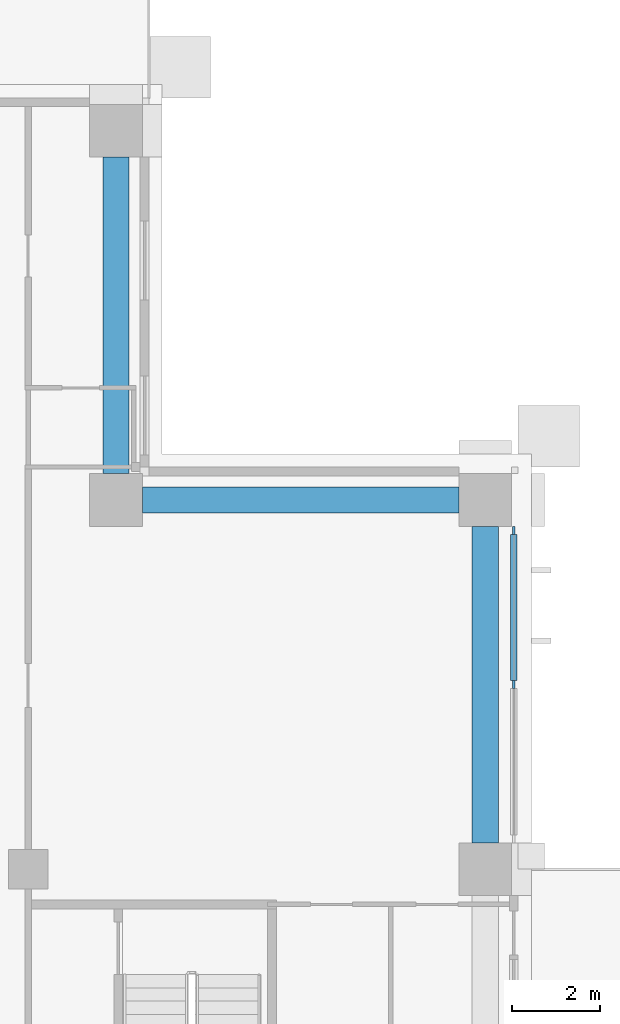
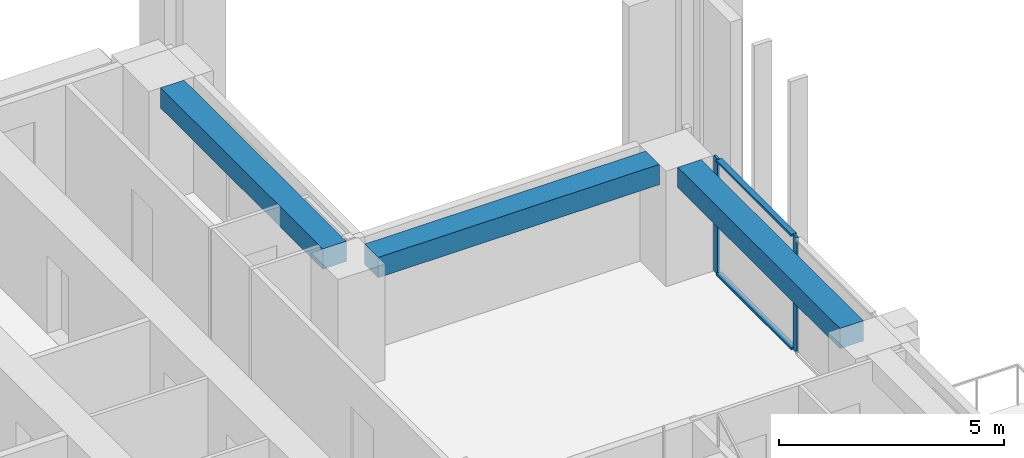
# One storey, part 6 of 19: 4 members, 3 beams, 1 element without a shape of its own.
"""IFC4 building model written with IfcOpenShell, lengths in metres."""

from ifc_helpers import new_model, si_unit, direction, frame, origin, origin_2d, place, context, subcontext, project, spatial, rectangle, extrude, material, material_profile, profile_set, type_object, element, aggregate, save


model = new_model("IFC4")

# Units and contexts
model_context = context("Model", 3, precision=1e-05, world=origin(), true_north=direction((0.0, 1.0)))
body_context = subcontext(model_context, "Body", "Model", "MODEL_VIEW")
ifc_project = project(units=[si_unit("LENGTHUNIT", "METRE"), si_unit("AREAUNIT", "SQUARE_METRE"), si_unit("VOLUMEUNIT", "CUBIC_METRE"), si_unit("PLANEANGLEUNIT", "RADIAN"), si_unit("MASSUNIT", "GRAM", prefix="KILO")], contexts=[model_context])

# Site, building, storey
site_placement = place(None, origin())
site = spatial("IfcSite", under=ifc_project, at=site_placement, CompositionType="ELEMENT")
building_placement = place(site_placement, origin())
building = spatial("IfcBuilding", under=site, at=building_placement, Name="Vermilion Ogive Tower", CompositionType="ELEMENT")
storey_placement = place(building_placement, frame((0.0, 0.0, 104.550048828125)))
storey = spatial("IfcBuildingStorey", under=building, at=storey_placement, Name="L26", CompositionType="ELEMENT", Elevation=104.550048828125)

# Curtain wall, members
ifc_material_1 = material(Name="Low-iron laminated glazing in aluminium frame", Category="aluminium")
curtain_wall_type = type_object("IfcCurtainWallType", Name="Curtain wall CW7", PredefinedType="NOTDEFINED", material=ifc_material_1)
curtain_wall_placement = place(storey_placement, origin())
curtain_wall = element("IfcCurtainWall", 1, at=curtain_wall_placement, inside=storey, type_object=curtain_wall_type, Name="Glazed skin E3", PredefinedType="NOTDEFINED")
ifc_material_2 = material(Name="Aluminium mullion", Category="aluminium")
ifc_material_profile_1 = material_profile(ifc_material_2, rectangle(XDim=0.06005859375, YDim=0.179931640625, at=origin_2d()), Name="AL 60x180")
ifc_profile_set_1 = profile_set([ifc_material_profile_1], Name="Aluminium mullion")
member_type_1 = type_object("IfcMemberType", Name="CW7 mullion 60x180", PredefinedType="MULLION", material=ifc_profile_set_1)
member_1_placement = place(storey_placement, frame((25.85009765625, 8.39990234375, 0.0), z_axis=(0.0, 0.0, 1.0), x_axis=(-1.0, 0.0, 0.0)))
member_1 = element("IfcMember", 2, at=member_1_placement, type_object=member_type_1, Name="CW7-E3 mullion 2", PredefinedType="MULLION", context=body_context, shape_type="SweptSolid", body=[
    extrude(rectangle(XDim=0.06005859375, YDim=0.179931640625, at=origin_2d()), origin(), (0.0, 0.0, 1.0), 3.1298828125),
])
member_2_placement = place(storey_placement, frame((25.85009765625, 11.909912109375, 0.0), z_axis=(0.0, 0.0, 1.0), x_axis=(-1.0, 0.0, 0.0)))
member_2 = element("IfcMember", 3, at=member_2_placement, type_object=member_type_1, Name="CW7-E3 mullion 3", PredefinedType="MULLION", context=body_context, shape_type="SweptSolid", body=[
    extrude(rectangle(XDim=0.06005859375, YDim=0.179931640625, at=origin_2d()), origin(), (0.0, 0.0, 1.0), 3.1298828125),
])
ifc_material_3 = material(Name="Aluminium transom", Category="aluminium")
ifc_material_profile_2 = material_profile(ifc_material_3, rectangle(XDim=0.139892578125, YDim=0.06005859375, at=origin_2d()), Name="AL 60x140")
ifc_profile_set_2 = profile_set([ifc_material_profile_2], Name="Aluminium transom")
member_type_2 = type_object("IfcMemberType", Name="CW7 transom 60x140", PredefinedType="USERDEFINED", material=ifc_profile_set_2)
member_3_placement = place(storey_placement, frame((25.85009765625, 8.489990234375, 0.030029296875), z_axis=(0.0, 1.0, 0.0), x_axis=(-1.0, 0.0, 0.0)))
member_3 = element("IfcMember", 4, at=member_3_placement, type_object=member_type_2, Name="CW7-E3 transom 2.1", ObjectType="TRANSOM", PredefinedType="USERDEFINED", context=body_context, shape_type="SweptSolid", body=[
    extrude(rectangle(XDim=0.139892578125, YDim=0.06005859375, at=origin_2d()), origin(), (0.0, 0.0, 1.0), 3.330078125),
])
member_4_placement = place(storey_placement, frame((25.85009765625, 8.489990234375, 3.099853515625), z_axis=(0.0, 1.0, 0.0), x_axis=(-1.0, 0.0, 0.0)))
member_4 = element("IfcMember", 5, at=member_4_placement, type_object=member_type_2, Name="CW7-E3 transom 2.2", ObjectType="TRANSOM", PredefinedType="USERDEFINED", context=body_context, shape_type="SweptSolid", body=[
    extrude(rectangle(XDim=0.139892578125, YDim=0.06005859375, at=origin_2d()), origin(), (0.0, 0.0, 1.0), 3.330078125),
])
aggregate(curtain_wall, [member_1, member_2, member_3, member_4])

# Beams
ifc_material_4 = material(Name="Concrete B45", Category="concrete")
ifc_material_profile_3 = material_profile(ifc_material_4, rectangle(XDim=0.60009765625, YDim=0.550048828125, at=origin_2d()), Name="600 x 550")
ifc_profile_set_3 = profile_set([ifc_material_profile_3], Name="Concrete B45")
beam_type = type_object("IfcBeamType", Name="Edge beam 600 x 550 B45", PredefinedType="BEAM", material=ifc_profile_set_3)
beam_1_placement = place(storey_placement, frame((25.199951171875, 4.800048828125, 2.85498046875), z_axis=(0.0, 1.0, 0.0), x_axis=(-1.0, 0.0, 0.0)))
element("IfcBeam", 6, at=beam_1_placement, inside=storey, type_object=beam_type, Name="L26-EB-9", PredefinedType="BEAM", context=body_context, shape_type="SweptSolid", body=[
    extrude(rectangle(XDim=0.60009765625, YDim=0.550048828125, at=origin_2d()), origin(), (0.0, 0.0, 1.0), 7.199951171875),
])
beam_2_placement = place(storey_placement, frame((24.60009765625, 12.60009765625, 2.85498046875), z_axis=(-1.0, 0.0, 0.0), x_axis=(0.0, -1.0, 0.0)))
element("IfcBeam", 7, at=beam_2_placement, inside=storey, type_object=beam_type, Name="L26-EB-10", PredefinedType="BEAM", context=body_context, shape_type="SweptSolid", body=[
    extrude(rectangle(XDim=0.60009765625, YDim=0.550048828125, at=origin_2d()), origin(), (0.0, 0.0, 1.0), 7.2001953125),
])
beam_3_placement = place(storey_placement, frame((16.800048828125, 13.199951171875, 2.85498046875), z_axis=(0.0, 1.0, 0.0), x_axis=(-1.0, 0.0, 0.0)))
element("IfcBeam", 8, at=beam_3_placement, inside=storey, type_object=beam_type, Name="L26-EB-11", PredefinedType="BEAM", context=body_context, shape_type="SweptSolid", body=[
    extrude(rectangle(XDim=0.60009765625, YDim=0.550048828125, at=origin_2d()), origin(), (0.0, 0.0, 1.0), 7.199951171875),
])

save(model, "model.ifc")
